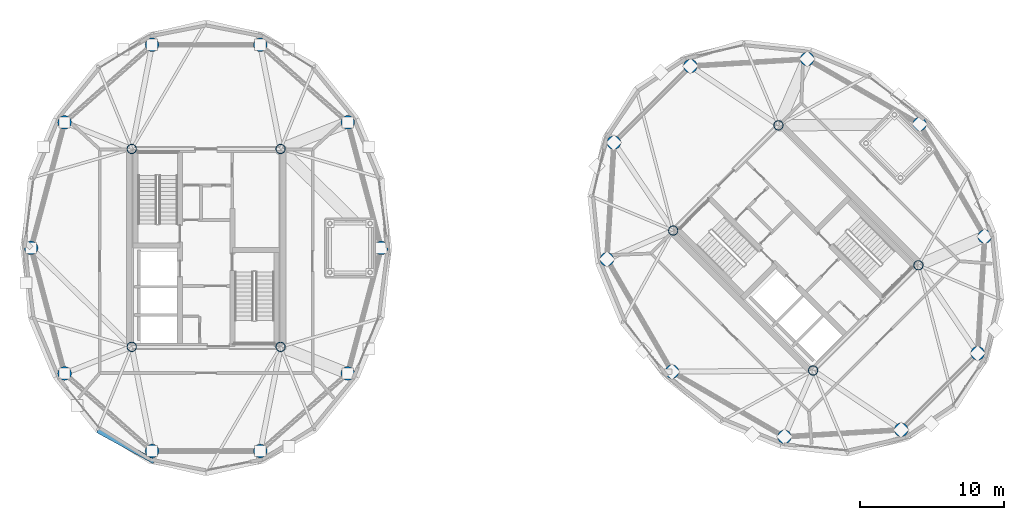
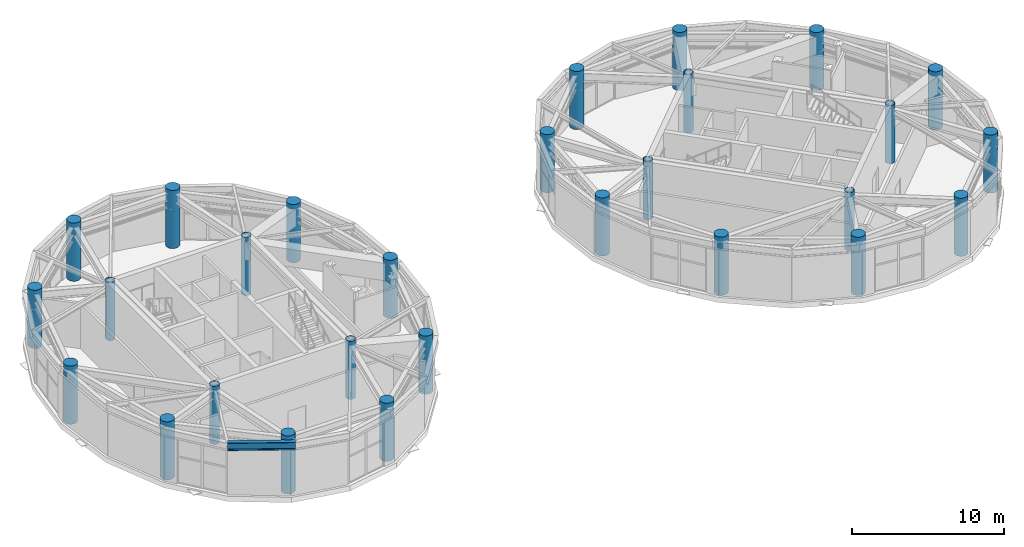
# One storey, part 1 of 28: 28 columns, 1 beam.
"""IFC4 building model written with IfcOpenShell, lengths in metres."""

from ifc_helpers import new_model, si_unit, direction, frame, origin, origin_2d, place, context, subcontext, project, spatial, circle, hollow_circle, i_section, extrude, material, material_profile, profile_set, type_object, element, save


model = new_model("IFC4")

# Units and contexts
model_context = context("Model", 3, precision=1e-05, world=origin(), true_north=direction((0.0, 1.0)))
body_context = subcontext(model_context, "Body", "Model", "MODEL_VIEW")
ifc_project = project(units=[si_unit("LENGTHUNIT", "METRE"), si_unit("AREAUNIT", "SQUARE_METRE"), si_unit("VOLUMEUNIT", "CUBIC_METRE"), si_unit("PLANEANGLEUNIT", "RADIAN"), si_unit("MASSUNIT", "GRAM", prefix="KILO")], contexts=[model_context])

# Site, building, storey
site_placement = place(None, origin())
site = spatial("IfcSite", under=ifc_project, at=site_placement, CompositionType="ELEMENT")
building_placement = place(site_placement, origin())
building = spatial("IfcBuilding", under=site, at=building_placement, Name="Cununo Teusaquillo Station Towers", CompositionType="ELEMENT")
storey_placement = place(building_placement, frame((0.0, 0.0, 235.64990234375)))
storey = spatial("IfcBuildingStorey", under=building, at=storey_placement, Name="L75", CompositionType="ELEMENT", Elevation=235.64990234375)

# Columns
ifc_material_1 = material(Name="Steel EN 10025-2 S355J2", Category="steel")
ifc_material_profile_1 = material_profile(ifc_material_1, hollow_circle(Radius=0.330078125, WallThickness=0.02490234375, at=origin_2d()), Name="CHS 660x25")
ifc_profile_set_1 = profile_set([ifc_material_profile_1], Name="Steel EN 10025-2 S355J2")
column_type_1 = type_object("IfcColumnType", Name="COL-CORE-Z3", PredefinedType="COLUMN", material=ifc_profile_set_1)
for number, where, z_axis, x_axis, name in (
    (1, (11.324951171875, 17.6201171875, 0.0), (0.0, 0.0, 1.0), (1.0, 0.0, 0.0), "L75 Tower A Core Column 1"),
    (2, (11.324951171875, 31.3798828125, 0.0), (0.0, 0.0, 1.0), (1.0, 0.0, 0.0), "L75 Tower A Core Column 2"),
    (3, (21.675048828125, 17.6201171875, 0.0), (0.0, 0.0, 1.0), (1.0, 0.0, 0.0), "L75 Tower A Core Column 3"),
    (4, (21.675048828125, 31.3798828125, 0.0), (0.0, 0.0, 1.0), (1.0, 0.0, 0.0), "L75 Tower A Core Column 4"),
    (5, (58.70556640625, 15.975830078125, 0.0), (0.0, 0.0, 1.0), (0.707106781187, 0.707106781187, 0.0), "L75 Tower B Core Column 1"),
    (6, (48.975830078125, 25.70556640625, 0.0), (0.0, 0.0, 1.0), (0.707106781187, 0.707106781187, 0.0), "L75 Tower B Core Column 2"),
    (7, (66.024169921875, 23.29443359375, 0.0), (0.0, 0.0, 1.0), (0.707106781187, 0.707106781187, 0.0), "L75 Tower B Core Column 3"),
    (8, (56.29443359375, 33.024169921875, 0.0), (0.0, 0.0, 1.0), (0.707106781187, 0.707106781187, 0.0), "L75 Tower B Core Column 4"),
):
    element("IfcColumn", number, at=place(storey_placement, frame(where, z_axis=z_axis, x_axis=x_axis)), inside=storey, type_object=column_type_1, Name=name, PredefinedType="COLUMN", context=body_context, shape_type="SweptSolid", body=[
        extrude(hollow_circle(Radius=0.330078125, WallThickness=0.02490234375, at=origin_2d()), origin(), (0.0, 0.0, 1.0), 4.68017578125),
    ])
ifc_material_2 = material(Name="Concrete C50/60", Category="concrete")
ifc_material_profile_2 = material_profile(ifc_material_2, circle(Radius=0.47509765625, at=origin_2d()), Name="RC-CIRC-950")
ifc_profile_set_2 = profile_set([ifc_material_profile_2], Name="Concrete C50/60")
column_type_2 = type_object("IfcColumnType", Name="COL-MEGA-CR", PredefinedType="COLUMN", material=ifc_profile_set_2)
for number, where, z_axis, x_axis, name in (
    (9, (28.672119140625, 24.5, 0.0), (0.0, 0.0, 1.0), (1.0, 0.0, 0.0), "L75 Tower A Perimeter Column V00"),
    (10, (26.347412109375, 33.228515625, 0.0), (0.0, 0.0, 1.0), (1.0, 0.0, 0.0), "L75 Tower A Perimeter Column V02"),
    (11, (20.261474609375, 38.623291015625, 0.0), (0.0, 0.0, 1.0), (1.0, 0.0, 0.0), "L75 Tower A Perimeter Column V04"),
    (12, (12.738525390625, 38.623291015625, 0.0), (0.0, 0.0, 1.0), (1.0, 0.0, 0.0), "L75 Tower A Perimeter Column V06"),
    (13, (6.652587890625, 33.228515625, 0.0), (0.0, 0.0, 1.0), (1.0, 0.0, 0.0), "L75 Tower A Perimeter Column V08"),
    (14, (4.327880859375, 24.5, 0.0), (0.0, 0.0, 1.0), (1.0, 0.0, 0.0), "L75 Tower A Perimeter Column V10"),
    (15, (6.652587890625, 15.771484375, 0.0), (0.0, 0.0, 1.0), (1.0, 0.0, 0.0), "L75 Tower A Perimeter Column V12"),
    (16, (12.738525390625, 10.376708984375, 0.0), (0.0, 0.0, 1.0), (1.0, 0.0, 0.0), "L75 Tower A Perimeter Column V14"),
    (17, (20.261474609375, 10.376708984375, 0.0), (0.0, 0.0, 1.0), (1.0, 0.0, 0.0), "L75 Tower A Perimeter Column V16"),
    (18, (26.347412109375, 15.771484375, 0.0), (0.0, 0.0, 1.0), (1.0, 0.0, 0.0), "L75 Tower A Perimeter Column V18"),
    (19, (66.10693359375, 33.10693359375, 0.0), (0.0, 0.0, 1.0), (1.0, 0.0, 0.0), "L75 Tower B Perimeter Column V00"),
    (20, (58.291015625, 37.63525390625, 0.0), (0.0, 0.0, 1.0), (1.0, 0.0, 0.0), "L75 Tower B Perimeter Column V02"),
    (21, (50.173095703125, 37.146240234375, 0.0), (0.0, 0.0, 1.0), (1.0, 0.0, 0.0), "L75 Tower B Perimeter Column V04"),
    (22, (44.853759765625, 31.826904296875, 0.0), (0.0, 0.0, 1.0), (1.0, 0.0, 0.0), "L75 Tower B Perimeter Column V06"),
    (23, (44.36474609375, 23.708984375, 0.0), (0.0, 0.0, 1.0), (1.0, 0.0, 0.0), "L75 Tower B Perimeter Column V08"),
    (24, (48.89306640625, 15.89306640625, 0.0), (0.0, 0.0, 1.0), (1.0, 0.0, 0.0), "L75 Tower B Perimeter Column V10"),
    (25, (56.708984375, 11.36474609375, 0.0), (0.0, 0.0, 1.0), (1.0, 0.0, 0.0), "L75 Tower B Perimeter Column V12"),
    (26, (64.826904296875, 11.853759765625, 0.0), (0.0, 0.0, 1.0), (1.0, 0.0, 0.0), "L75 Tower B Perimeter Column V14"),
    (27, (70.146240234375, 17.173095703125, 0.0), (0.0, 0.0, 1.0), (1.0, 0.0, 0.0), "L75 Tower B Perimeter Column V16"),
    (28, (70.63525390625, 25.291015625, 0.0), (0.0, 0.0, 1.0), (1.0, 0.0, 0.0), "L75 Tower B Perimeter Column V18"),
):
    element("IfcColumn", number, at=place(storey_placement, frame(where, z_axis=z_axis, x_axis=x_axis)), inside=storey, type_object=column_type_2, Name=name, PredefinedType="COLUMN", context=body_context, shape_type="SweptSolid", body=[
        extrude(circle(Radius=0.47509765625, at=origin_2d()), origin(), (0.0, 0.0, 1.0), 4.68017578125),
    ])

# Beam
ifc_material_3 = material(Name="Steel ASTM A572 Grade 50", Category="steel")
ifc_material_profile_3 = material_profile(ifc_material_3, i_section(OverallWidth=0.324951171875, OverallDepth=0.615966796875, WebThickness=0.013916015625, FlangeThickness=0.021484375, FilletRadius=0.01611328125, at=origin_2d()), Name="W24X117")
ifc_profile_set_3 = profile_set([ifc_material_profile_3], Name="Steel ASTM A572 Grade 50")
beam_type = type_object("IfcBeamType", Name="BM-PLNT-G2", PredefinedType="BEAM", material=ifc_profile_set_3)
beam_placement = place(storey_placement, frame((8.947021484375, 11.806396484375, 4.031982421875), z_axis=(0.876576300909, -0.481262910149, 0.0), x_axis=(0.481262910149, 0.876576300909, 0.0)))
element("IfcBeam", 29, at=beam_placement, inside=storey, type_object=beam_type, Name="L75 Tower A Spandrel Ring Beam 14", PredefinedType="BEAM", context=body_context, shape_type="SweptSolid", body=[
    extrude(i_section(OverallWidth=0.324951171875, OverallDepth=0.615966796875, WebThickness=0.013916015625, FlangeThickness=0.021484375, FilletRadius=0.01611328125, at=origin_2d()), origin(), (0.0, 0.0, 1.0), 4.488037109375),
])

save(model, "model.ifc")
